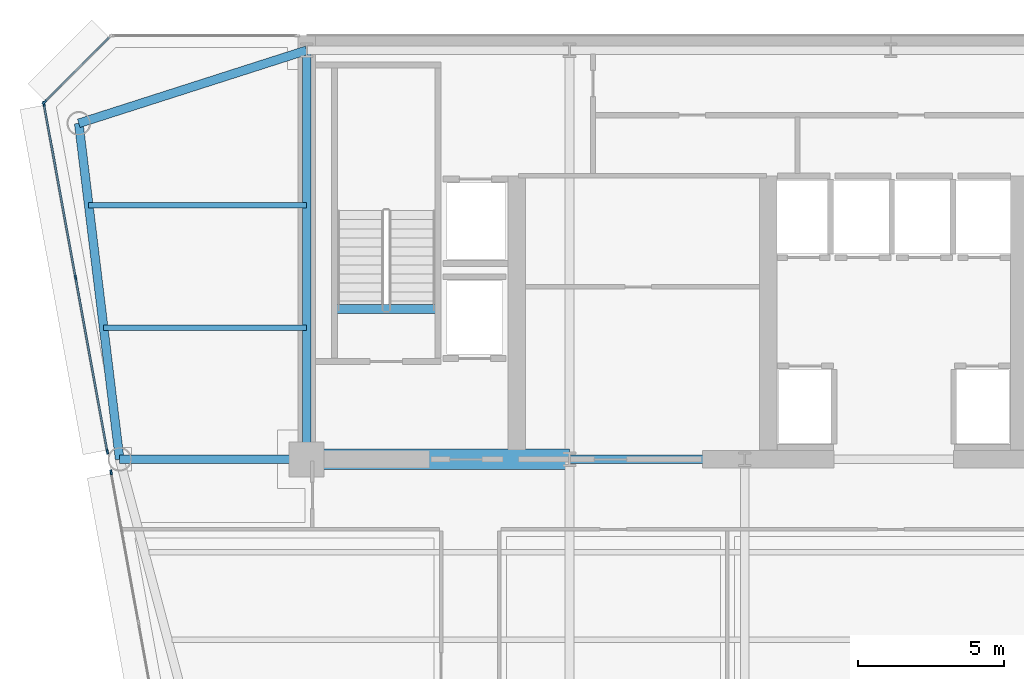
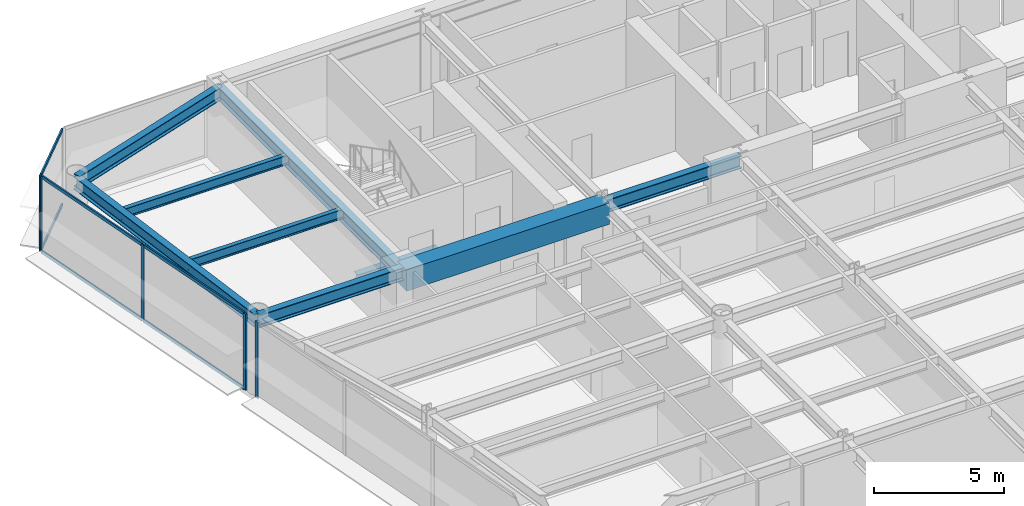
# One storey, part 7 of 17: 11 members, 9 beams, 3 elements without a shape of their own.
"""IFC4 building model written with IfcOpenShell, lengths in metres."""

from ifc_helpers import new_model, si_unit, direction, frame, origin, origin_2d, place, context, subcontext, project, spatial, rectangle, i_section, extrude, source, transform, mapped, material, layer, layer_set, material_profile, profile_set, type_object, element, aggregate, save


model = new_model("IFC4")

# Units and contexts
model_context = context("Model", 3, precision=1e-05, world=origin(), true_north=direction((0.0, 1.0)))
body_context = subcontext(model_context, "Body", "Model", "MODEL_VIEW")
ifc_project = project(units=[si_unit("LENGTHUNIT", "METRE"), si_unit("AREAUNIT", "SQUARE_METRE"), si_unit("VOLUMEUNIT", "CUBIC_METRE"), si_unit("PLANEANGLEUNIT", "RADIAN"), si_unit("MASSUNIT", "GRAM", prefix="KILO")], contexts=[model_context])

# Site, building, storey
site_placement = place(None, origin())
site = spatial("IfcSite", under=ifc_project, at=site_placement, CompositionType="ELEMENT")
building_placement = place(site_placement, origin())
building = spatial("IfcBuilding", under=site, at=building_placement, Name="Vaeldorn Concourse Tower", CompositionType="ELEMENT")
storey_placement = place(building_placement, frame((0.0, 0.0, 169.0)))
storey = spatial("IfcBuildingStorey", under=building, at=storey_placement, Name="L43", CompositionType="ELEMENT", Elevation=169.0)

# Beams
ifc_material_1 = material(Name="Concrete C50/60", Category="concrete")
ifc_material_profile_1 = material_profile(ifc_material_1, rectangle(XDim=0.699951171875, YDim=1.0, at=origin_2d()), Name="RC 700x1000")
ifc_profile_set_1 = profile_set([ifc_material_profile_1], Name="Concrete C50/60")
beam_type_1 = type_object("IfcBeamType", Name="BM-CB-RC700", PredefinedType="BEAM", material=ifc_profile_set_1)
shared_shape_1 = source(origin(), body_context, "Body", "SweptSolid", [
    extrude(rectangle(XDim=0.699951171875, YDim=1.0, at=origin_2d()), origin(), (0.0, 0.0, 1.0), 9.0),
])
beam_1_placement = place(storey_placement, frame((14.0, 36.5, 3.080078125), z_axis=(1.0, 0.0, 0.0), x_axis=(0.0, 1.0, 0.0)))
element("IfcBeam", 1, at=beam_1_placement, inside=storey, type_object=beam_type_1, Name="Core Coupling Beam L43-1", PredefinedType="BEAM", context=body_context, shape_type="MappedRepresentation", body=[
    mapped(shared_shape_1, transform((0.0, 0.0, 0.0), scale=1.0)),
])
ifc_material_2 = material(Name="Steel S355", Category="steel")
ifc_material_profile_2 = material_profile(ifc_material_2, i_section(OverallWidth=0.300048828125, OverallDepth=0.340087890625, WebThickness=0.011962890625, FlangeThickness=0.021484375, FilletRadius=0.027099609375, at=origin_2d()), Name="HEB 340")
ifc_profile_set_2 = profile_set([ifc_material_profile_2], Name="Steel S355")
beam_type_2 = type_object("IfcBeamType", Name="BM-ST-TRIM", PredefinedType="BEAM", material=ifc_profile_set_2)
shared_shape_2 = source(origin(), body_context, "Body", "SweptSolid", [
    extrude(i_section(OverallWidth=0.300048828125, OverallDepth=0.340087890625, WebThickness=0.011962890625, FlangeThickness=0.021484375, FilletRadius=0.027099609375, at=origin_2d()), origin(), (0.0, 0.0, 1.0), 3.590087890625),
])
beam_2_placement = place(storey_placement, frame((14.929931640625, 41.639892578125, -0.389892578125), z_axis=(1.0, 0.0, 0.0), x_axis=(0.0, 1.0, 0.0)))
element("IfcBeam", 2, at=beam_2_placement, inside=storey, type_object=beam_type_2, Name="Stair Landing Trimmer Beam ST-1 L43", PredefinedType="BEAM", context=body_context, shape_type="MappedRepresentation", body=[
    mapped(shared_shape_2, transform((0.0, 0.0, 0.0), scale=1.0)),
])
ifc_material_profile_3 = material_profile(ifc_material_2, i_section(OverallWidth=0.18994140625, OverallDepth=0.449951171875, WebThickness=0.009521484375, FlangeThickness=0.0146484375, FilletRadius=0.02099609375, at=origin_2d()), Name="IPE 450")
ifc_profile_set_3 = profile_set([ifc_material_profile_3], Name="Steel S355")
beam_type_3 = type_object("IfcBeamType", Name="BM-JS-IPE450", PredefinedType="JOIST", material=ifc_profile_set_3)
shared_shape_3 = source(origin(), body_context, "Body", "SweptSolid", [
    extrude(i_section(OverallWidth=0.18994140625, OverallDepth=0.449951171875, WebThickness=0.009521484375, FlangeThickness=0.0146484375, FilletRadius=0.02099609375, at=origin_2d()), origin(), (0.0, 0.0, 1.0), 6.94775390625),
])
beam_3_placement = place(storey_placement, frame((7.05224609375, 41.0, 3.35498046875), z_axis=(1.0, 0.0, 0.0), x_axis=(0.0, 1.0, 0.0)))
element("IfcBeam", 3, at=beam_3_placement, inside=storey, type_object=beam_type_3, Name="Beam JS-L43-NW-410", PredefinedType="JOIST", context=body_context, shape_type="MappedRepresentation", body=[
    mapped(shared_shape_3, transform((0.0, 0.0, 0.0), scale=1.0)),
])
shared_shape_4 = source(origin(), body_context, "Body", "SweptSolid", [
    extrude(i_section(OverallWidth=0.18994140625, OverallDepth=0.449951171875, WebThickness=0.009521484375, FlangeThickness=0.0146484375, FilletRadius=0.02099609375, at=origin_2d()), origin(), (0.0, 0.0, 1.0), 7.458984375),
])
beam_4_placement = place(storey_placement, frame((6.541015625, 45.199951171875, 3.35498046875), z_axis=(1.0, 0.0, 0.0), x_axis=(0.0, 1.0, 0.0)))
element("IfcBeam", 4, at=beam_4_placement, inside=storey, type_object=beam_type_3, Name="Beam JS-L43-NW-452", PredefinedType="JOIST", context=body_context, shape_type="MappedRepresentation", body=[
    mapped(shared_shape_4, transform((0.0, 0.0, 0.0), scale=1.0)),
])
ifc_material_profile_4 = material_profile(ifc_material_2, i_section(OverallWidth=0.300048828125, OverallDepth=0.60009765625, WebThickness=0.015380859375, FlangeThickness=0.030029296875, FilletRadius=0.027099609375, at=origin_2d()), Name="HEB 600")
ifc_profile_set_4 = profile_set([ifc_material_profile_4], Name="Steel S355")
beam_type_4 = type_object("IfcBeamType", Name="BM-PG-HEB600", PredefinedType="BEAM", material=ifc_profile_set_4)
shared_shape_5 = source(origin(), body_context, "Body", "SweptSolid", [
    extrude(i_section(OverallWidth=0.300048828125, OverallDepth=0.60009765625, WebThickness=0.015380859375, FlangeThickness=0.030029296875, FilletRadius=0.027099609375, at=origin_2d()), origin(), (0.0, 0.0, 1.0), 6.0),
])
beam_5_placement = place(storey_placement, frame((23.0, 36.5, 3.280029296875), z_axis=(1.0, 0.0, 0.0), x_axis=(0.0, 1.0, 0.0)))
element("IfcBeam", 5, at=beam_5_placement, inside=storey, type_object=beam_type_4, Name="Beam BM-L43-C-FC2-C-FC3", PredefinedType="BEAM", context=body_context, shape_type="MappedRepresentation", body=[
    mapped(shared_shape_5, transform((0.0, 0.0, 0.0), scale=1.0)),
])
shared_shape_6 = source(origin(), body_context, "Body", "SweptSolid", [
    extrude(i_section(OverallWidth=0.300048828125, OverallDepth=0.60009765625, WebThickness=0.015380859375, FlangeThickness=0.030029296875, FilletRadius=0.027099609375, at=origin_2d()), origin(), (0.0, 0.0, 1.0), 14.0),
])
beam_6_placement = place(storey_placement, frame((14.0, 36.5, 3.280029296875), z_axis=(0.0, 1.0, 0.0), x_axis=(-1.0, 0.0, 0.0)))
element("IfcBeam", 6, at=beam_6_placement, inside=storey, type_object=beam_type_4, Name="Beam BM-L43-C-FC1-C-HC1", PredefinedType="BEAM", context=body_context, shape_type="MappedRepresentation", body=[
    mapped(shared_shape_6, transform((0.0, 0.0, 0.0), scale=1.0)),
])
shared_shape_7 = source(origin(), body_context, "Body", "SweptSolid", [
    extrude(i_section(OverallWidth=0.300048828125, OverallDepth=0.60009765625, WebThickness=0.015380859375, FlangeThickness=0.030029296875, FilletRadius=0.027099609375, at=origin_2d()), origin(), (0.0, 0.0, 1.0), 8.19091796875),
])
beam_7_placement = place(storey_placement, frame((6.199951171875, 48.0, 3.280029296875), z_axis=(0.952282843383, 0.305216949396, 0.0), x_axis=(-0.305216949396, 0.952282843383, 0.0)))
element("IfcBeam", 7, at=beam_7_placement, inside=storey, type_object=beam_type_4, Name="Beam BM-L43-C-NW1-C-HC1", PredefinedType="BEAM", context=body_context, shape_type="MappedRepresentation", body=[
    mapped(shared_shape_7, transform((0.0, 0.0, 0.0), scale=1.0)),
])
shared_shape_8 = source(origin(), body_context, "Body", "SweptSolid", [
    extrude(i_section(OverallWidth=0.300048828125, OverallDepth=0.60009765625, WebThickness=0.015380859375, FlangeThickness=0.030029296875, FilletRadius=0.027099609375, at=origin_2d()), origin(), (0.0, 0.0, 1.0), 11.5849609375),
])
beam_8_placement = place(storey_placement, frame((6.199951171875, 48.0, 3.280029296875), z_axis=(0.120859382899, -0.992669637677, 0.0), x_axis=(0.992669637677, 0.120859382899, 0.0)))
element("IfcBeam", 8, at=beam_8_placement, inside=storey, type_object=beam_type_4, Name="Beam BM-L43-C-NW1-C-NW2", PredefinedType="BEAM", context=body_context, shape_type="MappedRepresentation", body=[
    mapped(shared_shape_8, transform((0.0, 0.0, 0.0), scale=1.0)),
])
shared_shape_9 = source(origin(), body_context, "Body", "SweptSolid", [
    extrude(i_section(OverallWidth=0.300048828125, OverallDepth=0.60009765625, WebThickness=0.015380859375, FlangeThickness=0.030029296875, FilletRadius=0.027099609375, at=origin_2d()), origin(), (0.0, 0.0, 1.0), 6.39990234375),
])
beam_9_placement = place(storey_placement, frame((7.60009765625, 36.5, 3.280029296875), z_axis=(1.0, 0.0, 0.0), x_axis=(0.0, 1.0, 0.0)))
element("IfcBeam", 9, at=beam_9_placement, inside=storey, type_object=beam_type_4, Name="Beam BM-L43-C-NW2-C-FC1", PredefinedType="BEAM", context=body_context, shape_type="MappedRepresentation", body=[
    mapped(shared_shape_9, transform((0.0, 0.0, 0.0), scale=1.0)),
])

# Curtain wall, members
ifc_material_3 = material(Name="Anodised Bronze Aluminium", Category="aluminium")
ifc_layer = layer(ifc_material_3, 0.18994140625)
ifc_layer_set = layer_set([ifc_layer], Name="Anodised Bronze Aluminium")
curtain_wall_type = type_object("IfcCurtainWallType", Name="CW-SYS-03", PredefinedType="NOTDEFINED", material=ifc_layer_set)
curtain_wall_1_placement = place(storey_placement, origin())
curtain_wall_1 = element("IfcCurtainWall", 10, at=curtain_wall_1_placement, inside=storey, type_object=curtain_wall_type, Name="Unitised Curtain Wall CW-L43-E10-1", PredefinedType="NOTDEFINED")
ifc_material_profile_5 = material_profile(ifc_material_3, rectangle(XDim=0.06494140625, YDim=0.14990234375, at=origin_2d()), Name="CWT 65x150")
ifc_profile_set_5 = profile_set([ifc_material_profile_5], Name="Anodised Bronze Aluminium")
member_type_1 = type_object("IfcMemberType", Name="CWT-BRONZE-150", PredefinedType="USERDEFINED", material=ifc_profile_set_5)
shared_shape_10 = source(origin(), body_context, "Body", "SweptSolid", [
    extrude(rectangle(XDim=0.06494140625, YDim=0.14990234375, at=origin_2d()), origin(), (0.0, 0.0, 1.0), 3.123046875),
])
member_1_placement = place(storey_placement, frame((7.254150390625, 50.9541015625, 0.032470703125), z_axis=(-0.707106781187, -0.707106781187, 0.0), x_axis=(0.707106781187, -0.707106781187, 0.0)))
member_1 = element("IfcMember", 11, at=member_1_placement, type_object=member_type_1, Name="CW-03 transom 1.1", ObjectType="TRANSOM", PredefinedType="USERDEFINED", context=body_context, shape_type="MappedRepresentation", body=[
    mapped(shared_shape_10, transform((0.0, 0.0, 0.0), scale=1.0)),
])
member_2_placement = place(storey_placement, frame((7.254150390625, 50.9541015625, 3.547607421875), z_axis=(-0.707106781187, -0.707106781187, 0.0), x_axis=(0.707106781187, -0.707106781187, 0.0)))
member_2 = element("IfcMember", 12, at=member_2_placement, type_object=member_type_1, Name="CW-03 transom 1.2", ObjectType="TRANSOM", PredefinedType="USERDEFINED", context=body_context, shape_type="MappedRepresentation", body=[
    mapped(shared_shape_10, transform((0.0, 0.0, 0.0), scale=1.0)),
])

curtain_wall_2_placement = place(storey_placement, origin())
curtain_wall_2 = element("IfcCurtainWall", 13, at=curtain_wall_2_placement, inside=storey, type_object=curtain_wall_type, Name="Unitised Curtain Wall CW-L43-E11-1", PredefinedType="NOTDEFINED")
shared_shape_11 = source(origin(), body_context, "Body", "SweptSolid", [
    extrude(rectangle(XDim=0.06494140625, YDim=0.14990234375, at=origin_2d()), origin(), (0.0, 0.0, 1.0), 5.986572265625),
])
member_3_placement = place(storey_placement, frame((6.09765625, 42.682861328125, 0.032470703125), z_axis=(0.179438079261, -0.98376926955, 0.0), x_axis=(0.98376926955, 0.179438079261, 0.0)))
member_3 = element("IfcMember", 14, at=member_3_placement, type_object=member_type_1, Name="CW-03 transom 2.1", ObjectType="TRANSOM", PredefinedType="USERDEFINED", context=body_context, shape_type="MappedRepresentation", body=[
    mapped(shared_shape_11, transform((0.0, 0.0, 0.0), scale=1.0)),
])
member_4_placement = place(storey_placement, frame((6.09765625, 42.682861328125, 3.547607421875), z_axis=(0.179438079261, -0.98376926955, 0.0), x_axis=(0.98376926955, 0.179438079261, 0.0)))
member_4 = element("IfcMember", 15, at=member_4_placement, type_object=member_type_1, Name="CW-03 transom 2.2", ObjectType="TRANSOM", PredefinedType="USERDEFINED", context=body_context, shape_type="MappedRepresentation", body=[
    mapped(shared_shape_11, transform((0.0, 0.0, 0.0), scale=1.0)),
])
shared_shape_12 = source(origin(), body_context, "Body", "SweptSolid", [
    extrude(rectangle(XDim=0.06494140625, YDim=0.14990234375, at=origin_2d()), origin(), (0.0, 0.0, 1.0), 5.986328125),
])
member_5_placement = place(storey_placement, frame((5.01171875, 48.635986328125, 0.032470703125), z_axis=(0.179445278506, -0.983767956391, 0.0), x_axis=(0.983767956391, 0.179445278506, 0.0)))
member_5 = element("IfcMember", 16, at=member_5_placement, type_object=member_type_1, Name="CW-03 transom 1.1", ObjectType="TRANSOM", PredefinedType="USERDEFINED", context=body_context, shape_type="MappedRepresentation", body=[
    mapped(shared_shape_12, transform((0.0, 0.0, 0.0), scale=1.0)),
])
member_6_placement = place(storey_placement, frame((5.01171875, 48.635986328125, 3.547607421875), z_axis=(0.179445278506, -0.983767956391, 0.0), x_axis=(0.983767956391, 0.179445278506, 0.0)))
member_6 = element("IfcMember", 17, at=member_6_placement, type_object=member_type_1, Name="CW-03 transom 1.2", ObjectType="TRANSOM", PredefinedType="USERDEFINED", context=body_context, shape_type="MappedRepresentation", body=[
    mapped(shared_shape_12, transform((0.0, 0.0, 0.0), scale=1.0)),
])

# Member
ifc_material_profile_6 = material_profile(ifc_material_3, rectangle(XDim=0.06494140625, YDim=0.169921875, at=origin_2d()), Name="CWM 65x170")
ifc_profile_set_6 = profile_set([ifc_material_profile_6], Name="Anodised Bronze Aluminium")
member_type_2 = type_object("IfcMemberType", Name="CWM-BRONZE-170", PredefinedType="MULLION", material=ifc_profile_set_6)
shared_shape_13 = source(origin(), body_context, "Body", "SweptSolid", [
    extrude(rectangle(XDim=0.06494140625, YDim=0.169921875, at=origin_2d()), origin(), (0.0, 0.0, 1.0), 3.580078125),
])
member_7_placement = place(storey_placement, frame((5.02294921875, 48.722900390625, 0.0), z_axis=(0.0, 0.0, 1.0), x_axis=(0.707106781187, -0.707106781187, 0.0)))
member_7 = element("IfcMember", 18, at=member_7_placement, type_object=member_type_2, Name="CW-03 mullion 2", PredefinedType="MULLION", context=body_context, shape_type="MappedRepresentation", body=[
    mapped(shared_shape_13, transform((0.0, 0.0, 0.0), scale=1.0)),
])

aggregate(curtain_wall_1, [member_7, member_1, member_2])

member_8_placement = place(storey_placement, frame((5.005859375, 48.66796875, 0.0), z_axis=(0.0, 0.0, 1.0), x_axis=(0.983767579285, 0.179447345892, 0.0)))
member_8 = element("IfcMember", 19, at=member_8_placement, type_object=member_type_2, Name="CW-03 mullion 1", PredefinedType="MULLION", context=body_context, shape_type="MappedRepresentation", body=[
    mapped(shared_shape_13, transform((0.0, 0.0, 0.0), scale=1.0)),
])

member_9_placement = place(storey_placement, frame((6.091796875, 42.71484375, 0.0), z_axis=(0.0, 0.0, 1.0), x_axis=(0.983767579285, 0.179447345892, 0.0)))
member_9 = element("IfcMember", 20, at=member_9_placement, type_object=member_type_2, Name="CW-03 mullion 2", PredefinedType="MULLION", context=body_context, shape_type="MappedRepresentation", body=[
    mapped(shared_shape_13, transform((0.0, 0.0, 0.0), scale=1.0)),
])

member_10_placement = place(storey_placement, frame((7.177734375, 36.761474609375, 0.0), z_axis=(0.0, 0.0, 1.0), x_axis=(0.983767579285, 0.179447345892, 0.0)))
member_10 = element("IfcMember", 21, at=member_10_placement, type_object=member_type_2, Name="CW-03 mullion 3", PredefinedType="MULLION", context=body_context, shape_type="MappedRepresentation", body=[
    mapped(shared_shape_13, transform((0.0, 0.0, 0.0), scale=1.0)),
])

aggregate(curtain_wall_2, [member_8, member_9, member_10, member_5, member_6, member_3, member_4])

# Curtain wall, member
curtain_wall_3_placement = place(storey_placement, origin())
curtain_wall_3 = element("IfcCurtainWall", 22, at=curtain_wall_3_placement, inside=storey, type_object=curtain_wall_type, Name="Unitised Curtain Wall CW-L43-E11-2", PredefinedType="NOTDEFINED")
member_11_placement = place(storey_placement, frame((7.30712890625, 36.051513671875, 0.0), z_axis=(0.0, 0.0, 1.0), x_axis=(0.983767841325, 0.179445909331, 0.0)))
member_11 = element("IfcMember", 23, at=member_11_placement, type_object=member_type_2, Name="CW-03 mullion 1", PredefinedType="MULLION", context=body_context, shape_type="MappedRepresentation", body=[
    mapped(shared_shape_13, transform((0.0, 0.0, 0.0), scale=1.0)),
])
aggregate(curtain_wall_3, [member_11])

save(model, "model.ifc")
